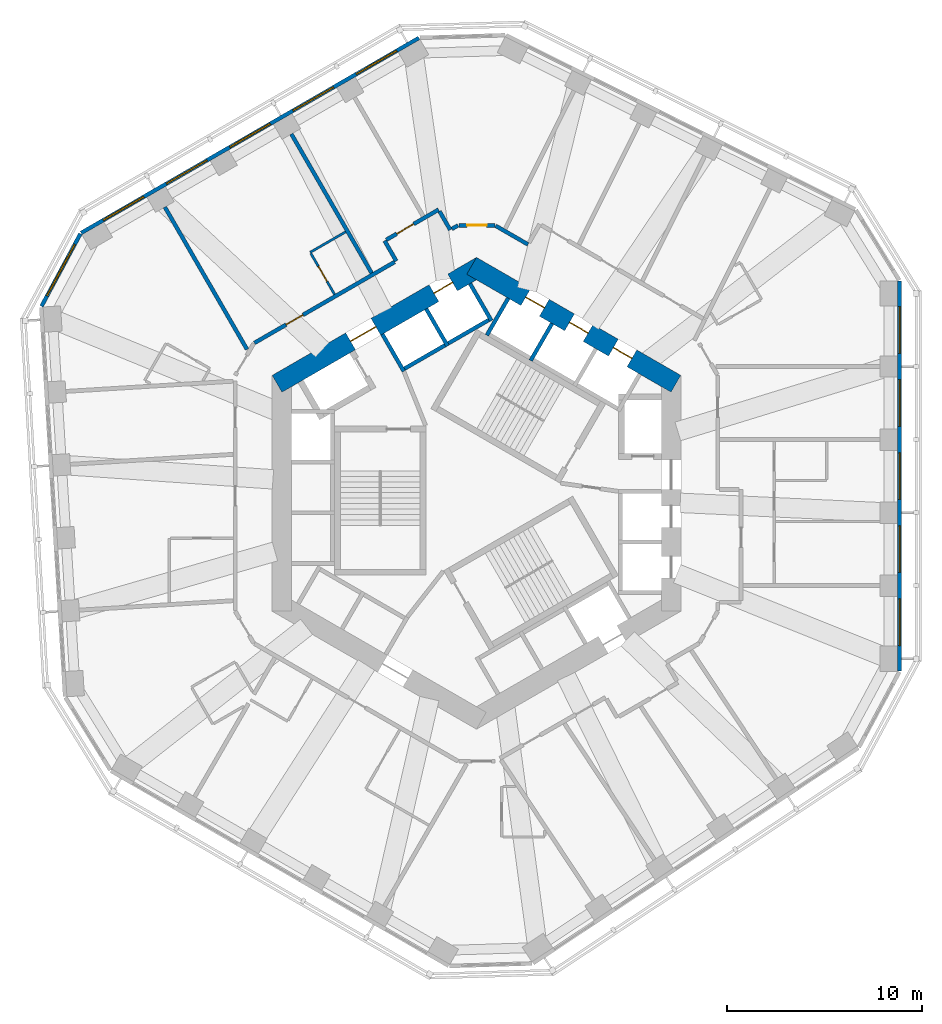
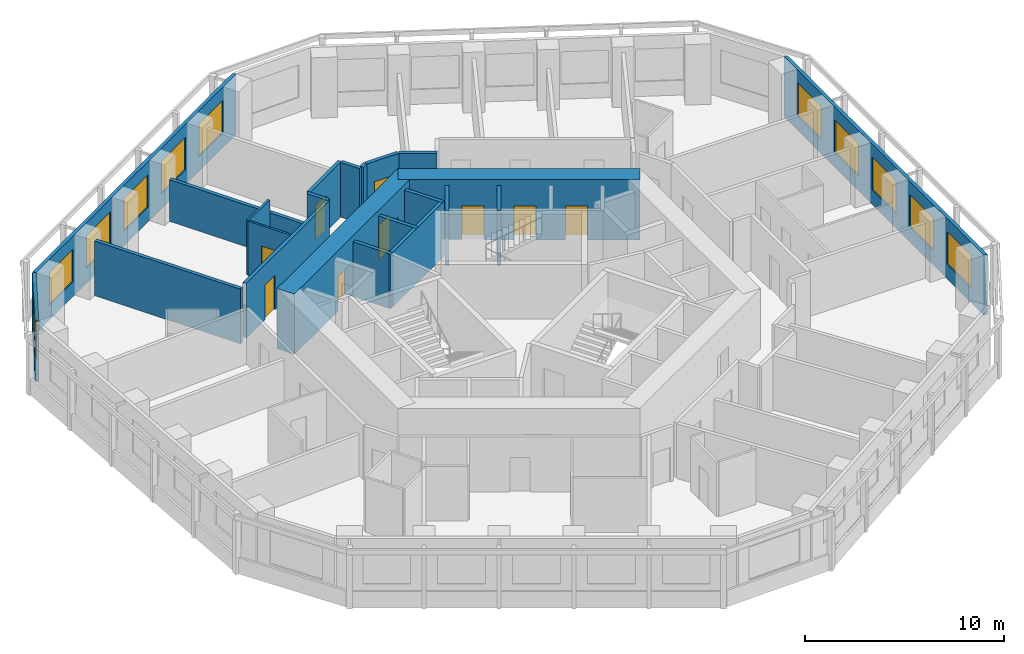
# One storey, part 7 of 11: 22 walls, 11 windows, 9 doors, 20 openings.
"""IFC4 building model written with IfcOpenShell, lengths in metres."""

from ifc_helpers import new_model, si_unit, direction, frame, frame_2d, origin, place, context, subcontext, project, spatial, rectangle, extrude, material, layer, layer_set, type_object, element, fill, save


model = new_model("IFC4")

# Units and contexts
model_context = context("Model", 3, precision=1e-05, world=origin(), true_north=direction((0.0, 1.0)))
body_context = subcontext(model_context, "Body", "Model", "MODEL_VIEW")
ifc_project = project(units=[si_unit("LENGTHUNIT", "METRE"), si_unit("AREAUNIT", "SQUARE_METRE"), si_unit("VOLUMEUNIT", "CUBIC_METRE"), si_unit("PLANEANGLEUNIT", "RADIAN"), si_unit("MASSUNIT", "GRAM", prefix="KILO")], contexts=[model_context])

# Site, building, storey
site_placement = place(None, origin())
site = spatial("IfcSite", under=ifc_project, at=site_placement, CompositionType="ELEMENT")
building_placement = place(site_placement, origin())
building = spatial("IfcBuilding", under=site, at=building_placement, Name="Vanh Sen Convention Tower", CompositionType="ELEMENT")
storey_placement = place(building_placement, frame((0.0, 0.0, 135.5)))
storey = spatial("IfcBuildingStorey", under=building, at=storey_placement, Name="L33", CompositionType="ELEMENT", Elevation=135.5)

# Wall
ifc_material_1 = material(Name="Moisture-resistant gypsum board on steel studs", Category="steel")
ifc_layer_1 = layer(ifc_material_1, 0.1201171875)
ifc_layer_set_1 = layer_set([ifc_layer_1], Name="Moisture-resistant gypsum board on steel studs")
wall_type_1 = type_object("IfcWallType", Name="Bathroom partition 120", PredefinedType="PARTITIONING", material=ifc_layer_set_1)
wall_1_placement = place(storey_placement, frame((-8.54541015625, 12.38671875, 0.0), z_axis=(0.0, 0.0, 1.0), x_axis=(0.866009402589, 0.500027713859, 0.0)))
element("IfcWall", 1, at=wall_1_placement, inside=storey, type_object=wall_type_1, Name="Bathroom partition 120", PredefinedType="PARTITIONING", context=body_context, shape_type="SweptSolid", body=[
    extrude(rectangle(XDim=2.10009765625, YDim=0.1201171875, at=frame_2d((1.050048828125, 0.0))), origin(), (0.0, 0.0, 1.0), 3.35009765625),
])

# Wall, opening, door
wall_2_placement = place(storey_placement, frame((-7.29541015625, 10.2216796875, 0.0), z_axis=(0.0, 0.0, 1.0), x_axis=(-0.500002508028, 0.866023955769, 0.0)))
wall_2 = element("IfcWall", 2, at=wall_2_placement, inside=storey, type_object=wall_type_1, Name="Bathroom partition 120", PredefinedType="PARTITIONING", context=body_context, shape_type="SweptSolid", body=[
    extrude(rectangle(XDim=2.43994140625, YDim=0.1201171875, at=frame_2d((1.219970703125, 0.0))), origin(), (0.0, 0.0, 1.0), 3.35009765625),
])
opening_1_placement = place(wall_2_placement, frame((0.77001953125, 0.0, 0.0)))
opening_1 = element("IfcOpeningElement", 3, at=opening_1_placement, cuts=wall_2, Name="Opening D32114", PredefinedType="OPENING", context=body_context, shape_type="SweptSolid", body=[
    extrude(rectangle(XDim=0.89990234375, YDim=2.10009765625, at=frame_2d((0.449951171875, 1.050048828125))), frame((0.0, 0.070068359375, 0.0), z_axis=(0.0, -1.0, 0.0), x_axis=(1.0, 0.0, 0.0)), (0.0, 0.0, 1.0), 0.14013671875),
])
ifc_material_2 = material(Name="Laminate door in steel frame", Category="steel")
door_type_1 = type_object("IfcDoorType", Name="Room internal door 900", OperationType="SINGLE_SWING_LEFT", PredefinedType="DOOR", material=ifc_material_2)
door_1_placement = place(opening_1_placement, origin())
door_1 = element("IfcDoor", 4, at=door_1_placement, inside=storey, type_object=door_type_1, Name="Internal room door D32114", OperationType="SINGLE_SWING_LEFT", OverallHeight=2.10009765625, OverallWidth=0.89990234375, PredefinedType="DOOR", context=body_context, shape_type="SweptSolid", body=[
    extrude(rectangle(XDim=0.89990234375, YDim=2.10009765625, at=frame_2d((0.449951171875, 1.050048828125))), frame((0.0, 0.02490234375, 0.0), z_axis=(0.0, -1.0, 0.0), x_axis=(1.0, 0.0, 0.0)), (0.0, 0.0, 1.0), 0.050048828125),
])
fill(opening_1, door_1)

# Wall, openings, doors
ifc_material_3 = material(Name="Concrete C80/95", Category="concrete")
ifc_layer_2 = layer(ifc_material_3, 1.0)
ifc_layer_set_2 = layer_set([ifc_layer_2], Name="Concrete C80/95")
wall_type_2 = type_object("IfcWallType", Name="Core outer wall 1000 C80/95", PredefinedType="SHEAR", material=ifc_layer_set_2)
wall_3_placement = place(storey_placement, frame((10.25, 5.629150390625, 0.0), z_axis=(0.0, 0.0, 1.0), x_axis=(-0.866022616891, 0.50000482701, 0.0)))
wall_3 = element("IfcWall", 5, at=wall_3_placement, inside=storey, type_object=wall_type_2, Name="Core wall face NE L33", PredefinedType="SHEAR", context=body_context, shape_type="SweptSolid", body=[
    extrude(rectangle(XDim=12.12451171875, YDim=1.0, at=frame_2d((6.062255859375, 0.0))), origin(), (0.0, 0.0, 1.0), 3.699951171875),
])
opening_2_placement = place(wall_3_placement, frame((2.6123046875, 0.0, 0.0)))
opening_2 = element("IfcOpeningElement", 6, at=opening_2_placement, cuts=wall_3, Name="Opening LD-LR3", PredefinedType="OPENING", context=body_context, shape_type="SweptSolid", body=[
    extrude(rectangle(XDim=1.10009765625, YDim=2.10009765625, at=frame_2d((0.550048828125, 1.050048828125))), frame((0.0, 0.510009765625, 0.0), z_axis=(0.0, -1.0, 0.0), x_axis=(1.0, 0.0, 0.0)), (0.0, 0.0, 1.0), 1.02001953125),
])
opening_3_placement = place(wall_3_placement, frame((5.212158203125, 0.0, 0.0)))
opening_3 = element("IfcOpeningElement", 7, at=opening_3_placement, cuts=wall_3, Name="Opening LD-LR4", PredefinedType="OPENING", context=body_context, shape_type="SweptSolid", body=[
    extrude(rectangle(XDim=1.10009765625, YDim=2.10009765625, at=frame_2d((0.550048828125, 1.050048828125))), frame((0.0, 0.510009765625, 0.0), z_axis=(0.0, -1.0, 0.0), x_axis=(1.0, 0.0, 0.0)), (0.0, 0.0, 1.0), 1.02001953125),
])
opening_4_placement = place(wall_3_placement, frame((7.812255859375, 0.0, 0.0)))
opening_4 = element("IfcOpeningElement", 8, at=opening_4_placement, cuts=wall_3, Name="Opening LD-LR5", PredefinedType="OPENING", context=body_context, shape_type="SweptSolid", body=[
    extrude(rectangle(XDim=1.10009765625, YDim=2.10009765625, at=frame_2d((0.550048828125, 1.050048828125))), frame((0.0, 0.510009765625, 0.0), z_axis=(0.0, -1.0, 0.0), x_axis=(1.0, 0.0, 0.0)), (0.0, 0.0, 1.0), 1.02001953125),
])
ifc_material_4 = material(Name="Stainless steel", Category="steel")
door_type_2 = type_object("IfcDoorType", Name="Lift landing door 1100", OperationType="DOUBLE_DOOR_SLIDING", PredefinedType="DOOR", material=ifc_material_4)
door_2_placement = place(opening_2_placement, origin())
door_2 = element("IfcDoor", 9, at=door_2_placement, inside=storey, type_object=door_type_2, Name="Lift LR3 landing door LD-LR3", OperationType="DOUBLE_DOOR_SLIDING", OverallHeight=2.10009765625, OverallWidth=1.10009765625, PredefinedType="DOOR", context=body_context, shape_type="SweptSolid", body=[
    extrude(rectangle(XDim=1.10009765625, YDim=2.10009765625, at=frame_2d((0.550048828125, 1.050048828125))), frame((0.0, 0.02490234375, 0.0), z_axis=(0.0, -1.0, 0.0), x_axis=(1.0, 0.0, 0.0)), (0.0, 0.0, 1.0), 0.050048828125),
])
fill(opening_2, door_2)
door_3_placement = place(opening_3_placement, origin())
door_3 = element("IfcDoor", 10, at=door_3_placement, inside=storey, type_object=door_type_2, Name="Lift LR4 landing door LD-LR4", OperationType="DOUBLE_DOOR_SLIDING", OverallHeight=2.10009765625, OverallWidth=1.10009765625, PredefinedType="DOOR", context=body_context, shape_type="SweptSolid", body=[
    extrude(rectangle(XDim=1.10009765625, YDim=2.10009765625, at=frame_2d((0.550048828125, 1.050048828125))), frame((0.0, 0.02490234375, 0.0), z_axis=(0.0, -1.0, 0.0), x_axis=(1.0, 0.0, 0.0)), (0.0, 0.0, 1.0), 0.050048828125),
])
fill(opening_3, door_3)
door_4_placement = place(opening_4_placement, origin())
door_4 = element("IfcDoor", 11, at=door_4_placement, inside=storey, type_object=door_type_2, Name="Lift LR5 landing door LD-LR5", OperationType="DOUBLE_DOOR_SLIDING", OverallHeight=2.10009765625, OverallWidth=1.10009765625, PredefinedType="DOOR", context=body_context, shape_type="SweptSolid", body=[
    extrude(rectangle(XDim=1.10009765625, YDim=2.10009765625, at=frame_2d((0.550048828125, 1.050048828125))), frame((0.0, 0.02490234375, 0.0), z_axis=(0.0, -1.0, 0.0), x_axis=(1.0, 0.0, 0.0)), (0.0, 0.0, 1.0), 0.050048828125),
])
fill(opening_4, door_4)

wall_4_placement = place(storey_placement, frame((0.25, 11.69140625, 0.0), z_axis=(0.0, 0.0, 1.0), x_axis=(-0.866022616891, -0.50000482701, 0.0)))
wall_4 = element("IfcWall", 12, at=wall_4_placement, inside=storey, type_object=wall_type_2, Name="Core wall face NW L33", PredefinedType="SHEAR", context=body_context, shape_type="SweptSolid", body=[
    extrude(rectangle(XDim=12.12451171875, YDim=1.0, at=frame_2d((6.062255859375, 0.0))), origin(), (0.0, 0.0, 1.0), 3.699951171875),
])
opening_5_placement = place(wall_4_placement, frame((6.26220703125, 0.0, 0.0)))
opening_5 = element("IfcOpeningElement", 13, at=opening_5_placement, cuts=wall_4, Name="Opening D32002", PredefinedType="OPENING", context=body_context, shape_type="SweptSolid", body=[
    extrude(rectangle(XDim=1.5, YDim=2.10009765625, at=frame_2d((0.75, 1.050048828125))), frame((0.0, 0.510009765625, 0.0), z_axis=(0.0, -1.0, 0.0), x_axis=(1.0, 0.0, 0.0)), (0.0, 0.0, 1.0), 1.02001953125),
])
opening_6_placement = place(wall_4_placement, frame((1.712158203125, 0.0, 0.0)))
opening_6 = element("IfcOpeningElement", 14, at=opening_6_placement, cuts=wall_4, Name="Opening LD-LR6", PredefinedType="OPENING", context=body_context, shape_type="SweptSolid", body=[
    extrude(rectangle(XDim=1.10009765625, YDim=2.10009765625, at=frame_2d((0.550048828125, 1.050048828125))), frame((0.0, 0.510009765625, 0.0), z_axis=(0.0, -1.0, 0.0), x_axis=(1.0, 0.0, 0.0)), (0.0, 0.0, 1.0), 1.02001953125),
])
door_5_placement = place(opening_6_placement, origin())
door_5 = element("IfcDoor", 15, at=door_5_placement, inside=storey, type_object=door_type_2, Name="Lift LR6 landing door LD-LR6", OperationType="DOUBLE_DOOR_SLIDING", OverallHeight=2.10009765625, OverallWidth=1.10009765625, PredefinedType="DOOR", context=body_context, shape_type="SweptSolid", body=[
    extrude(rectangle(XDim=1.10009765625, YDim=2.10009765625, at=frame_2d((0.550048828125, 1.050048828125))), frame((0.0, 0.02490234375, 0.0), z_axis=(0.0, -1.0, 0.0), x_axis=(1.0, 0.0, 0.0)), (0.0, 0.0, 1.0), 0.050048828125),
])
fill(opening_6, door_5)
ifc_material_5 = material(Name="Steel S355", Category="steel")
door_type_3 = type_object("IfcDoorType", Name="Stair lobby door 1500", OperationType="DOUBLE_DOOR_SINGLE_SWING", PredefinedType="DOOR", material=ifc_material_5)
door_6_placement = place(opening_5_placement, origin())
door_6 = element("IfcDoor", 16, at=door_6_placement, inside=storey, type_object=door_type_3, Name="Stair lobby door D32002", OperationType="DOUBLE_DOOR_SINGLE_SWING", OverallHeight=2.10009765625, OverallWidth=1.5, PredefinedType="DOOR", context=body_context, shape_type="SweptSolid", body=[
    extrude(rectangle(XDim=1.5, YDim=2.10009765625, at=frame_2d((0.75, 1.050048828125))), frame((0.0, 0.02490234375, 0.0), z_axis=(0.0, -1.0, 0.0), x_axis=(1.0, 0.0, 0.0)), (0.0, 0.0, 1.0), 0.050048828125),
])
fill(opening_5, door_6)

# Wall
ifc_material_6 = material(Name="Gypsum board on steel studs with mineral wool", Category="steel")
ifc_layer_3 = layer(ifc_material_6, 0.199951171875)
ifc_layer_set_3 = layer_set([ifc_layer_3], Name="Gypsum board on steel studs with mineral wool")
wall_type_3 = type_object("IfcWallType", Name="Corridor partition wall 200", PredefinedType="PARTITIONING", material=ifc_layer_set_3)
wall_5_placement = place(storey_placement, frame((-4.722900390625, 12.978271484375, 0.0), z_axis=(0.0, 0.0, 1.0), x_axis=(0.500074377092, -0.865982457891, 0.0)))
element("IfcWall", 17, at=wall_5_placement, inside=storey, type_object=wall_type_3, Name="Corridor partition wall 200", PredefinedType="PARTITIONING", context=body_context, shape_type="SweptSolid", body=[
    extrude(rectangle(XDim=1.200927734375, YDim=0.199951171875, at=frame_2d((0.6005859375, 0.0))), origin(), (0.0, 0.0, 1.0), 3.35009765625),
])

# Wall, opening, door
wall_6_placement = place(storey_placement, frame((-4.208984375, 11.88818359375, 0.0), z_axis=(0.0, 0.0, 1.0), x_axis=(-0.866020930448, -0.500007747966, 0.0)))
wall_6 = element("IfcWall", 18, at=wall_6_placement, inside=storey, type_object=wall_type_3, Name="Corridor partition wall 200", PredefinedType="PARTITIONING", context=body_context, shape_type="SweptSolid", body=[
    extrude(rectangle(XDim=8.321044921875, YDim=0.199951171875, at=frame_2d((4.16064453125, 0.0))), origin(), (0.0, 0.0, 1.0), 3.35009765625),
])
opening_7_placement = place(wall_6_placement, frame((5.438720703125, 0.0, 0.0)))
opening_7 = element("IfcOpeningElement", 19, at=opening_7_placement, cuts=wall_6, Name="Opening D32113", PredefinedType="OPENING", context=body_context, shape_type="SweptSolid", body=[
    extrude(rectangle(XDim=1.0, YDim=2.10009765625, at=frame_2d((0.5, 1.050048828125))), frame((0.0, 0.10986328125, 0.0), z_axis=(0.0, -1.0, 0.0), x_axis=(1.0, 0.0, 0.0)), (0.0, 0.0, 1.0), 0.219970703125),
])
ifc_material_7 = material(Name="Glazed fire door in steel frame", Category="steel")
door_type_4 = type_object("IfcDoorType", Name="Tenant entrance door 1000", OperationType="SINGLE_SWING_LEFT", PredefinedType="DOOR", material=ifc_material_7)
door_7_placement = place(opening_7_placement, origin())
door_7 = element("IfcDoor", 20, at=door_7_placement, inside=storey, type_object=door_type_4, Name="Tenant suite entrance door D32113", OperationType="SINGLE_SWING_LEFT", OverallHeight=2.10009765625, OverallWidth=1.0, PredefinedType="DOOR", context=body_context, shape_type="SweptSolid", body=[
    extrude(rectangle(XDim=1.0, YDim=2.10009765625, at=frame_2d((0.5, 1.050048828125))), frame((0.0, 0.02490234375, 0.0), z_axis=(0.0, -1.0, 0.0), x_axis=(1.0, 0.0, 0.0)), (0.0, 0.0, 1.0), 0.050048828125),
])
fill(opening_7, door_7)

wall_7_placement = place(storey_placement, frame((-1.949951171875, 14.579345703125, 0.0), z_axis=(0.0, 0.0, 1.0), x_axis=(-0.866011260204, -0.500024496599, 0.0)))
wall_7 = element("IfcWall", 21, at=wall_7_placement, inside=storey, type_object=wall_type_3, Name="Corridor partition wall 200", PredefinedType="PARTITIONING", context=body_context, shape_type="SweptSolid", body=[
    extrude(rectangle(XDim=3.101806640625, YDim=0.199951171875, at=frame_2d((1.55078125, 0.0))), origin(), (0.0, 0.0, 1.0), 3.35009765625),
])
opening_8_placement = place(wall_7_placement, frame((1.47802734375, 0.0, 0.0)))
opening_8 = element("IfcOpeningElement", 22, at=opening_8_placement, cuts=wall_7, Name="Opening D32112", PredefinedType="OPENING", context=body_context, shape_type="SweptSolid", body=[
    extrude(rectangle(XDim=1.0, YDim=2.10009765625, at=frame_2d((0.5, 1.050048828125))), frame((0.0, 0.10986328125, 0.0), z_axis=(0.0, -1.0, 0.0), x_axis=(1.0, 0.0, 0.0)), (0.0, 0.0, 1.0), 0.219970703125),
])
door_8_placement = place(opening_8_placement, origin())
door_8 = element("IfcDoor", 23, at=door_8_placement, inside=storey, type_object=door_type_4, Name="Tenant suite entrance door D32112", OperationType="SINGLE_SWING_LEFT", OverallHeight=2.10009765625, OverallWidth=1.0, PredefinedType="DOOR", context=body_context, shape_type="SweptSolid", body=[
    extrude(rectangle(XDim=1.0, YDim=2.10009765625, at=frame_2d((0.5, 1.050048828125))), frame((0.0, 0.02490234375, 0.0), z_axis=(0.0, -1.0, 0.0), x_axis=(1.0, 0.0, 0.0)), (0.0, 0.0, 1.0), 0.050048828125),
])
fill(opening_8, door_8)

# Walls
wall_8_placement = place(storey_placement, frame((-1.349365234375, 13.539306640625, 0.0), z_axis=(0.0, 0.0, 1.0), x_axis=(-0.500074377092, 0.865982457891, 0.0)))
element("IfcWall", 24, at=wall_8_placement, inside=storey, type_object=wall_type_3, Name="Corridor partition wall 200", PredefinedType="PARTITIONING", context=body_context, shape_type="SweptSolid", body=[
    extrude(rectangle(XDim=1.100830078125, YDim=0.199951171875, at=frame_2d((0.55029296875, 0.0))), origin(), (0.0, 0.0, 1.0), 3.35009765625),
])
wall_9_placement = place(storey_placement, frame((-0.949951171875, 13.769775390625, 0.0), z_axis=(0.0, 0.0, 1.0), x_axis=(-0.865904111586, -0.500210025428, 0.0)))
element("IfcWall", 25, at=wall_9_placement, inside=storey, type_object=wall_type_3, Name="Corridor partition wall 200", PredefinedType="PARTITIONING", context=body_context, shape_type="SweptSolid", body=[
    extrude(rectangle(XDim=0.361083984375, YDim=0.199951171875, at=frame_2d((0.1806640625, 0.0))), origin(), (0.0, 0.0, 1.0), 3.35009765625),
])

# Wall, opening, door
wall_10_placement = place(storey_placement, frame((0.949951171875, 13.769775390625, 0.0), z_axis=(0.0, 0.0, 1.0), x_axis=(-1.0, 0.0, 0.0)))
wall_10 = element("IfcWall", 26, at=wall_10_placement, inside=storey, type_object=wall_type_3, Name="Corridor partition wall 200", PredefinedType="PARTITIONING", context=body_context, shape_type="SweptSolid", body=[
    extrude(rectangle(XDim=1.85986328125, YDim=0.199951171875, at=frame_2d((0.929931640625, 0.0))), origin(), (0.0, 0.0, 1.0), 3.35009765625),
])
opening_9_placement = place(wall_10_placement, frame((0.429931640625, 0.0, 0.0)))
opening_9 = element("IfcOpeningElement", 27, at=opening_9_placement, cuts=wall_10, Name="Opening D32111", PredefinedType="OPENING", context=body_context, shape_type="SweptSolid", body=[
    extrude(rectangle(XDim=1.0, YDim=2.10009765625, at=frame_2d((0.5, 1.050048828125))), frame((0.0, 0.10986328125, 0.0), z_axis=(0.0, -1.0, 0.0), x_axis=(1.0, 0.0, 0.0)), (0.0, 0.0, 1.0), 0.219970703125),
])
door_9_placement = place(opening_9_placement, origin())
door_9 = element("IfcDoor", 28, at=door_9_placement, inside=storey, type_object=door_type_4, Name="Tenant suite entrance door D32111", OperationType="SINGLE_SWING_LEFT", OverallHeight=2.10009765625, OverallWidth=1.0, PredefinedType="DOOR", context=body_context, shape_type="SweptSolid", body=[
    extrude(rectangle(XDim=1.0, YDim=2.10009765625, at=frame_2d((0.5, 1.050048828125))), frame((0.0, 0.02490234375, 0.0), z_axis=(0.0, -1.0, 0.0), x_axis=(1.0, 0.0, 0.0)), (0.0, 0.0, 1.0), 0.050048828125),
])
fill(opening_9, door_9)

# Wall
wall_11_placement = place(storey_placement, frame((2.6484375, 12.789306640625, 0.0), z_axis=(0.0, 0.0, 1.0), x_axis=(-0.8660607342, 0.499938800931, 0.0)))
element("IfcWall", 29, at=wall_11_placement, inside=storey, type_object=wall_type_3, Name="Corridor partition wall 200", PredefinedType="PARTITIONING", context=body_context, shape_type="SweptSolid", body=[
    extrude(rectangle(XDim=1.921142578125, YDim=0.199951171875, at=frame_2d((0.96044921875, 0.0))), origin(), (0.0, 0.0, 1.0), 3.35009765625),
])

# Wall, openings, windows
ifc_material_8 = material(Name="Insulated lightweight infill wall")
ifc_layer_4 = layer(ifc_material_8, 0.199951171875)
ifc_layer_set_4 = layer_set([ifc_layer_4], Name="Insulated lightweight infill wall")
wall_type_4 = type_object("IfcWallType", Name="External wall 200", PredefinedType="STANDARD", material=ifc_layer_set_4)
wall_12_placement = place(storey_placement, frame((21.75, -9.138427734375, 0.0), z_axis=(0.0, 0.0, 1.0), x_axis=(0.0, 1.0, 0.0)))
wall_12 = element("IfcWall", 30, at=wall_12_placement, inside=storey, type_object=wall_type_4, Name="External wall E L33", PredefinedType="STANDARD", context=body_context, shape_type="SweptSolid", body=[
    extrude(rectangle(XDim=20.043701171875, YDim=0.199951171875, at=frame_2d((10.02197265625, 0.0))), origin(), (0.0, 0.0, 1.0), 3.699951171875),
])
opening_10_placement = place(wall_12_placement, frame((1.314453125, 0.0, 0.89990234375)))
opening_10 = element("IfcOpeningElement", 31, at=opening_10_placement, cuts=wall_12, Name="Opening WO1-E1", PredefinedType="OPENING", context=body_context, shape_type="SweptSolid", body=[
    extrude(rectangle(XDim=2.39990234375, YDim=2.0, at=frame_2d((1.199951171875, 1.0))), frame((0.0, 0.10986328125, 0.0), z_axis=(0.0, -1.0, 0.0), x_axis=(1.0, 0.0, 0.0)), (0.0, 0.0, 1.0), 0.219970703125),
])
opening_11_placement = place(wall_12_placement, frame((5.068603515625, 0.0, 0.89990234375)))
opening_11 = element("IfcOpeningElement", 32, at=opening_11_placement, cuts=wall_12, Name="Opening WO1-E2", PredefinedType="OPENING", context=body_context, shape_type="SweptSolid", body=[
    extrude(rectangle(XDim=2.39990234375, YDim=2.0, at=frame_2d((1.199951171875, 1.0))), frame((0.0, 0.10986328125, 0.0), z_axis=(0.0, -1.0, 0.0), x_axis=(1.0, 0.0, 0.0)), (0.0, 0.0, 1.0), 0.219970703125),
])
opening_12_placement = place(wall_12_placement, frame((8.82275390625, 0.0, 0.89990234375)))
opening_12 = element("IfcOpeningElement", 33, at=opening_12_placement, cuts=wall_12, Name="Opening WO1-E3", PredefinedType="OPENING", context=body_context, shape_type="SweptSolid", body=[
    extrude(rectangle(XDim=2.39990234375, YDim=2.0, at=frame_2d((1.199951171875, 1.0))), frame((0.0, 0.10986328125, 0.0), z_axis=(0.0, -1.0, 0.0), x_axis=(1.0, 0.0, 0.0)), (0.0, 0.0, 1.0), 0.219970703125),
])
opening_13_placement = place(wall_12_placement, frame((12.576904296875, 0.0, 0.89990234375)))
opening_13 = element("IfcOpeningElement", 34, at=opening_13_placement, cuts=wall_12, Name="Opening WO1-E4", PredefinedType="OPENING", context=body_context, shape_type="SweptSolid", body=[
    extrude(rectangle(XDim=2.39990234375, YDim=2.0, at=frame_2d((1.199951171875, 1.0))), frame((0.0, 0.10986328125, 0.0), z_axis=(0.0, -1.0, 0.0), x_axis=(1.0, 0.0, 0.0)), (0.0, 0.0, 1.0), 0.219970703125),
])
opening_14_placement = place(wall_12_placement, frame((16.330810546875, 0.0, 0.89990234375)))
opening_14 = element("IfcOpeningElement", 35, at=opening_14_placement, cuts=wall_12, Name="Opening WO1-E5", PredefinedType="OPENING", context=body_context, shape_type="SweptSolid", body=[
    extrude(rectangle(XDim=2.39990234375, YDim=2.0, at=frame_2d((1.199951171875, 1.0))), frame((0.0, 0.10986328125, 0.0), z_axis=(0.0, -1.0, 0.0), x_axis=(1.0, 0.0, 0.0)), (0.0, 0.0, 1.0), 0.219970703125),
])
ifc_material_9 = material(Name="Aluminium frame with clear low-emissivity glass", Category="aluminium")
window_type_1 = type_object("IfcWindowType", Name="Office window 2400 x 2000", PartitioningType="SINGLE_PANEL", PredefinedType="WINDOW", material=ifc_material_9)
window_1_placement = place(opening_10_placement, origin())
window_1 = element("IfcWindow", 36, at=window_1_placement, inside=storey, type_object=window_type_1, Name="Window WO1-E1", OverallHeight=2.0, OverallWidth=2.39990234375, PartitioningType="SINGLE_PANEL", PredefinedType="WINDOW", context=body_context, shape_type="SweptSolid", body=[
    extrude(rectangle(XDim=2.39990234375, YDim=2.0, at=frame_2d((1.199951171875, 1.0))), frame((0.0, 0.030029296875, 0.0), z_axis=(0.0, -1.0, 0.0), x_axis=(1.0, 0.0, 0.0)), (0.0, 0.0, 1.0), 0.06005859375),
])
fill(opening_10, window_1)
window_2_placement = place(opening_11_placement, origin())
window_2 = element("IfcWindow", 37, at=window_2_placement, inside=storey, type_object=window_type_1, Name="Window WO1-E2", OverallHeight=2.0, OverallWidth=2.39990234375, PartitioningType="SINGLE_PANEL", PredefinedType="WINDOW", context=body_context, shape_type="SweptSolid", body=[
    extrude(rectangle(XDim=2.39990234375, YDim=2.0, at=frame_2d((1.199951171875, 1.0))), frame((0.0, 0.030029296875, 0.0), z_axis=(0.0, -1.0, 0.0), x_axis=(1.0, 0.0, 0.0)), (0.0, 0.0, 1.0), 0.06005859375),
])
fill(opening_11, window_2)
window_3_placement = place(opening_12_placement, origin())
window_3 = element("IfcWindow", 38, at=window_3_placement, inside=storey, type_object=window_type_1, Name="Window WO1-E3", OverallHeight=2.0, OverallWidth=2.39990234375, PartitioningType="SINGLE_PANEL", PredefinedType="WINDOW", context=body_context, shape_type="SweptSolid", body=[
    extrude(rectangle(XDim=2.39990234375, YDim=2.0, at=frame_2d((1.199951171875, 1.0))), frame((0.0, 0.030029296875, 0.0), z_axis=(0.0, -1.0, 0.0), x_axis=(1.0, 0.0, 0.0)), (0.0, 0.0, 1.0), 0.06005859375),
])
fill(opening_12, window_3)
window_4_placement = place(opening_13_placement, origin())
window_4 = element("IfcWindow", 39, at=window_4_placement, inside=storey, type_object=window_type_1, Name="Window WO1-E4", OverallHeight=2.0, OverallWidth=2.39990234375, PartitioningType="SINGLE_PANEL", PredefinedType="WINDOW", context=body_context, shape_type="SweptSolid", body=[
    extrude(rectangle(XDim=2.39990234375, YDim=2.0, at=frame_2d((1.199951171875, 1.0))), frame((0.0, 0.030029296875, 0.0), z_axis=(0.0, -1.0, 0.0), x_axis=(1.0, 0.0, 0.0)), (0.0, 0.0, 1.0), 0.06005859375),
])
fill(opening_13, window_4)
window_5_placement = place(opening_14_placement, origin())
window_5 = element("IfcWindow", 40, at=window_5_placement, inside=storey, type_object=window_type_1, Name="Window WO1-E5", OverallHeight=2.0, OverallWidth=2.39990234375, PartitioningType="SINGLE_PANEL", PredefinedType="WINDOW", context=body_context, shape_type="SweptSolid", body=[
    extrude(rectangle(XDim=2.39990234375, YDim=2.0, at=frame_2d((1.199951171875, 1.0))), frame((0.0, 0.030029296875, 0.0), z_axis=(0.0, -1.0, 0.0), x_axis=(1.0, 0.0, 0.0)), (0.0, 0.0, 1.0), 0.06005859375),
])
fill(opening_14, window_5)

wall_13_placement = place(storey_placement, frame((-2.9609375, 23.4052734375, 0.0), z_axis=(0.0, 0.0, 1.0), x_axis=(-0.866023315909, -0.500003616288, 0.0)))
wall_13 = element("IfcWall", 41, at=wall_13_placement, inside=storey, type_object=wall_type_4, Name="External wall NW L33", PredefinedType="STANDARD", context=body_context, shape_type="SweptSolid", body=[
    extrude(rectangle(XDim=20.043701171875, YDim=0.199951171875, at=frame_2d((10.02197265625, 0.0))), origin(), (0.0, 0.0, 1.0), 3.699951171875),
])
opening_15_placement = place(wall_13_placement, frame((1.314453125, 0.0, 0.89990234375)))
opening_15 = element("IfcOpeningElement", 42, at=opening_15_placement, cuts=wall_13, Name="Opening WO1-NW1", PredefinedType="OPENING", context=body_context, shape_type="SweptSolid", body=[
    extrude(rectangle(XDim=2.39990234375, YDim=2.0, at=frame_2d((1.199951171875, 1.0))), frame((0.0, 0.10986328125, 0.0), z_axis=(0.0, -1.0, 0.0), x_axis=(1.0, 0.0, 0.0)), (0.0, 0.0, 1.0), 0.219970703125),
])
opening_16_placement = place(wall_13_placement, frame((5.068603515625, 0.0, 0.89990234375)))
opening_16 = element("IfcOpeningElement", 43, at=opening_16_placement, cuts=wall_13, Name="Opening WO1-NW2", PredefinedType="OPENING", context=body_context, shape_type="SweptSolid", body=[
    extrude(rectangle(XDim=2.39990234375, YDim=2.0, at=frame_2d((1.199951171875, 1.0))), frame((0.0, 0.10986328125, 0.0), z_axis=(0.0, -1.0, 0.0), x_axis=(1.0, 0.0, 0.0)), (0.0, 0.0, 1.0), 0.219970703125),
])
opening_17_placement = place(wall_13_placement, frame((8.82275390625, 0.0, 0.89990234375)))
opening_17 = element("IfcOpeningElement", 44, at=opening_17_placement, cuts=wall_13, Name="Opening WO1-NW3", PredefinedType="OPENING", context=body_context, shape_type="SweptSolid", body=[
    extrude(rectangle(XDim=2.39990234375, YDim=2.0, at=frame_2d((1.199951171875, 1.0))), frame((0.0, 0.10986328125, 0.0), z_axis=(0.0, -1.0, 0.0), x_axis=(1.0, 0.0, 0.0)), (0.0, 0.0, 1.0), 0.219970703125),
])
opening_18_placement = place(wall_13_placement, frame((12.576904296875, 0.0, 0.89990234375)))
opening_18 = element("IfcOpeningElement", 45, at=opening_18_placement, cuts=wall_13, Name="Opening WO1-NW4", PredefinedType="OPENING", context=body_context, shape_type="SweptSolid", body=[
    extrude(rectangle(XDim=2.39990234375, YDim=2.0, at=frame_2d((1.199951171875, 1.0))), frame((0.0, 0.10986328125, 0.0), z_axis=(0.0, -1.0, 0.0), x_axis=(1.0, 0.0, 0.0)), (0.0, 0.0, 1.0), 0.219970703125),
])
opening_19_placement = place(wall_13_placement, frame((16.330810546875, 0.0, 0.89990234375)))
opening_19 = element("IfcOpeningElement", 46, at=opening_19_placement, cuts=wall_13, Name="Opening WO1-NW5", PredefinedType="OPENING", context=body_context, shape_type="SweptSolid", body=[
    extrude(rectangle(XDim=2.39990234375, YDim=2.0, at=frame_2d((1.199951171875, 1.0))), frame((0.0, 0.10986328125, 0.0), z_axis=(0.0, -1.0, 0.0), x_axis=(1.0, 0.0, 0.0)), (0.0, 0.0, 1.0), 0.219970703125),
])
window_6_placement = place(opening_15_placement, origin())
window_6 = element("IfcWindow", 47, at=window_6_placement, inside=storey, type_object=window_type_1, Name="Window WO1-NW1", OverallHeight=2.0, OverallWidth=2.39990234375, PartitioningType="SINGLE_PANEL", PredefinedType="WINDOW", context=body_context, shape_type="SweptSolid", body=[
    extrude(rectangle(XDim=2.39990234375, YDim=2.0, at=frame_2d((1.199951171875, 1.0))), frame((0.0, 0.030029296875, 0.0), z_axis=(0.0, -1.0, 0.0), x_axis=(1.0, 0.0, 0.0)), (0.0, 0.0, 1.0), 0.06005859375),
])
fill(opening_15, window_6)
window_7_placement = place(opening_16_placement, origin())
window_7 = element("IfcWindow", 48, at=window_7_placement, inside=storey, type_object=window_type_1, Name="Window WO1-NW2", OverallHeight=2.0, OverallWidth=2.39990234375, PartitioningType="SINGLE_PANEL", PredefinedType="WINDOW", context=body_context, shape_type="SweptSolid", body=[
    extrude(rectangle(XDim=2.39990234375, YDim=2.0, at=frame_2d((1.199951171875, 1.0))), frame((0.0, 0.030029296875, 0.0), z_axis=(0.0, -1.0, 0.0), x_axis=(1.0, 0.0, 0.0)), (0.0, 0.0, 1.0), 0.06005859375),
])
fill(opening_16, window_7)
window_8_placement = place(opening_17_placement, origin())
window_8 = element("IfcWindow", 49, at=window_8_placement, inside=storey, type_object=window_type_1, Name="Window WO1-NW3", OverallHeight=2.0, OverallWidth=2.39990234375, PartitioningType="SINGLE_PANEL", PredefinedType="WINDOW", context=body_context, shape_type="SweptSolid", body=[
    extrude(rectangle(XDim=2.39990234375, YDim=2.0, at=frame_2d((1.199951171875, 1.0))), frame((0.0, 0.030029296875, 0.0), z_axis=(0.0, -1.0, 0.0), x_axis=(1.0, 0.0, 0.0)), (0.0, 0.0, 1.0), 0.06005859375),
])
fill(opening_17, window_8)
window_9_placement = place(opening_18_placement, origin())
window_9 = element("IfcWindow", 50, at=window_9_placement, inside=storey, type_object=window_type_1, Name="Window WO1-NW4", OverallHeight=2.0, OverallWidth=2.39990234375, PartitioningType="SINGLE_PANEL", PredefinedType="WINDOW", context=body_context, shape_type="SweptSolid", body=[
    extrude(rectangle(XDim=2.39990234375, YDim=2.0, at=frame_2d((1.199951171875, 1.0))), frame((0.0, 0.030029296875, 0.0), z_axis=(0.0, -1.0, 0.0), x_axis=(1.0, 0.0, 0.0)), (0.0, 0.0, 1.0), 0.06005859375),
])
fill(opening_18, window_9)
window_10_placement = place(opening_19_placement, origin())
window_10 = element("IfcWindow", 51, at=window_10_placement, inside=storey, type_object=window_type_1, Name="Window WO1-NW5", OverallHeight=2.0, OverallWidth=2.39990234375, PartitioningType="SINGLE_PANEL", PredefinedType="WINDOW", context=body_context, shape_type="SweptSolid", body=[
    extrude(rectangle(XDim=2.39990234375, YDim=2.0, at=frame_2d((1.199951171875, 1.0))), frame((0.0, 0.030029296875, 0.0), z_axis=(0.0, -1.0, 0.0), x_axis=(1.0, 0.0, 0.0)), (0.0, 0.0, 1.0), 0.06005859375),
])
fill(opening_19, window_10)

# Wall, opening, window
wall_14_placement = place(storey_placement, frame((-20.357421875, 13.343994140625, 0.0), z_axis=(0.0, 0.0, 1.0), x_axis=(-0.473288913494, -0.880907262068, 0.0)))
wall_14 = element("IfcWall", 52, at=wall_14_placement, inside=storey, type_object=wall_type_4, Name="External wall CH3 L33", PredefinedType="STANDARD", context=body_context, shape_type="SweptSolid", body=[
    extrude(rectangle(XDim=4.238037109375, YDim=0.199951171875, at=frame_2d((2.119140625, 0.0))), origin(), (0.0, 0.0, 1.0), 3.699951171875),
])
opening_20_placement = place(wall_14_placement, frame((0.619140625, 0.0, 0.89990234375)))
opening_20 = element("IfcOpeningElement", 53, at=opening_20_placement, cuts=wall_14, Name="Opening WO2-CH31", PredefinedType="OPENING", context=body_context, shape_type="SweptSolid", body=[
    extrude(rectangle(XDim=3.0, YDim=2.0, at=frame_2d((1.5, 1.0))), frame((0.0, 0.10986328125, 0.0), z_axis=(0.0, -1.0, 0.0), x_axis=(1.0, 0.0, 0.0)), (0.0, 0.0, 1.0), 0.219970703125),
])
window_type_2 = type_object("IfcWindowType", Name="Office window 3000 x 2000", PartitioningType="SINGLE_PANEL", PredefinedType="WINDOW", material=ifc_material_9)
window_11_placement = place(opening_20_placement, origin())
window_11 = element("IfcWindow", 54, at=window_11_placement, inside=storey, type_object=window_type_2, Name="Window WO2-CH31", OverallHeight=2.0, OverallWidth=3.0, PartitioningType="SINGLE_PANEL", PredefinedType="WINDOW", context=body_context, shape_type="SweptSolid", body=[
    extrude(rectangle(XDim=3.0, YDim=2.0, at=frame_2d((1.5, 1.0))), frame((0.0, 0.030029296875, 0.0), z_axis=(0.0, -1.0, 0.0), x_axis=(1.0, 0.0, 0.0)), (0.0, 0.0, 1.0), 0.06005859375),
])
fill(opening_20, window_11)

# Walls
ifc_material_10 = material(Name="Concrete C40/50", Category="concrete")
ifc_layer_5 = layer(ifc_material_10, 0.199951171875)
ifc_layer_set_5 = layer_set([ifc_layer_5], Name="Concrete C40/50")
wall_type_5 = type_object("IfcWallType", Name="Lift shaft wall 200", PredefinedType="PARTITIONING", material=ifc_layer_set_5)
for number, where, z_axis, x_axis, name in (
    (55, (2.783935546875, 6.822021484375, 0.0), (0.0, 0.0, 1.0), (0.50002983664, 0.866008176907, 0.0), "Lift shaft wall L33"),
    (56, (0.5322265625, 8.1220703125, 0.0), (0.0, 0.0, 1.0), (0.500077893725, 0.86598042715, 0.0), "Lift shaft wall L33"),
):
    element("IfcWall", number, at=place(storey_placement, frame(where, z_axis=z_axis, x_axis=x_axis)), inside=storey, type_object=wall_type_5, Name=name, PredefinedType="PARTITIONING", context=body_context, shape_type="SweptSolid", body=[
        extrude(rectangle(XDim=2.199951171875, YDim=0.199951171875, at=frame_2d((1.10009765625, 0.0))), origin(), (0.0, 0.0, 1.0), 3.35009765625),
    ])
wall_15_placement = place(storey_placement, frame((0.80322265625, 9.008544921875, 0.0), z_axis=(0.0, 0.0, 1.0), x_axis=(-0.866028230842, -0.499995103361, 0.0)))
element("IfcWall", 57, at=wall_15_placement, inside=storey, type_object=wall_type_5, Name="Lift shaft wall L33", PredefinedType="PARTITIONING", context=body_context, shape_type="SweptSolid", body=[
    extrude(rectangle(XDim=5.39990234375, YDim=0.199951171875, at=frame_2d((2.699951171875, 0.0))), origin(), (0.0, 0.0, 1.0), 3.35009765625),
])
wall_16_placement = place(storey_placement, frame((0.7666015625, 8.8720703125, 0.0), z_axis=(0.0, 0.0, 1.0), x_axis=(-0.499994660107, 0.866028486751, 0.0)))
element("IfcWall", 58, at=wall_16_placement, inside=storey, type_object=wall_type_5, Name="Lift shaft wall L33", PredefinedType="PARTITIONING", context=body_context, shape_type="SweptSolid", body=[
    extrude(rectangle(XDim=2.19970703125, YDim=0.199951171875, at=frame_2d((1.099853515625, 0.0))), origin(), (0.0, 0.0, 1.0), 3.35009765625),
])
for number, where, z_axis, x_axis, name in (
    (59, (-1.48486328125, 7.572021484375, 0.0), (0.0, 0.0, 1.0), (-0.50002983664, 0.866008176907, 0.0), "Lift shaft wall L33"),
    (60, (-3.736572265625, 6.27197265625, 0.0), (0.0, 0.0, 1.0), (-0.50002983664, 0.866008176907, 0.0), "Lift shaft wall L33"),
):
    element("IfcWall", number, at=place(storey_placement, frame(where, z_axis=z_axis, x_axis=x_axis)), inside=storey, type_object=wall_type_5, Name=name, PredefinedType="PARTITIONING", context=body_context, shape_type="SweptSolid", body=[
        extrude(rectangle(XDim=2.199951171875, YDim=0.199951171875, at=frame_2d((1.10009765625, 0.0))), origin(), (0.0, 0.0, 1.0), 3.35009765625),
    ])
ifc_layer_6 = layer(ifc_material_6, 0.199951171875)
ifc_layer_set_6 = layer_set([ifc_layer_6], Name="Gypsum board on steel studs with mineral wool")
wall_type_6 = type_object("IfcWallType", Name="Tenant suite wall 200", PredefinedType="PARTITIONING", material=ifc_layer_set_6)
wall_17_placement = place(storey_placement, frame((-16.017578125, 14.71240234375, 0.0), z_axis=(0.0, 0.0, 1.0), x_axis=(0.500000843414, -0.866024916838, 0.0)))
element("IfcWall", 61, at=wall_17_placement, inside=storey, type_object=wall_type_6, Name="Tenant suite wall 200", PredefinedType="PARTITIONING", context=body_context, shape_type="SweptSolid", body=[
    extrude(rectangle(XDim=8.45166015625, YDim=0.199951171875, at=frame_2d((4.225830078125, 0.0))), origin(), (0.0, 0.0, 1.0), 3.35009765625),
])
wall_18_placement = place(storey_placement, frame((-9.51513671875, 18.46630859375, 0.0), z_axis=(0.0, 0.0, 1.0), x_axis=(0.500009360108, -0.866019999656, 0.0)))
element("IfcWall", 62, at=wall_18_placement, inside=storey, type_object=wall_type_6, Name="Tenant suite wall 200", PredefinedType="PARTITIONING", context=body_context, shape_type="SweptSolid", body=[
    extrude(rectangle(XDim=8.249755859375, YDim=0.199951171875, at=frame_2d((4.125, 0.0))), origin(), (0.0, 0.0, 1.0), 2.550048828125),
])

save(model, "model.ifc")
